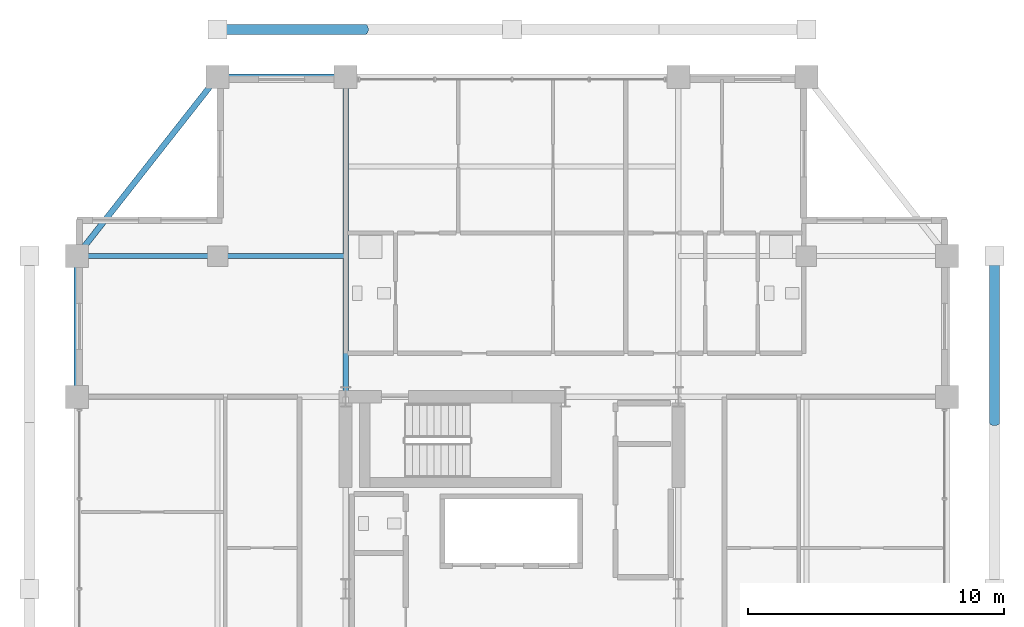
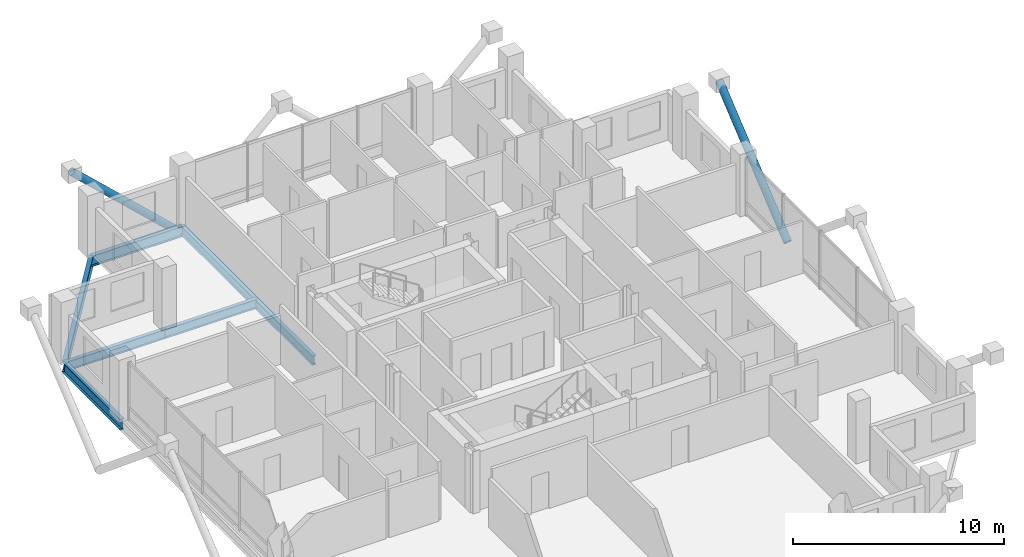
# One storey, part 13 of 23: 6 beams, 2 members.
"""IFC4 building model written with IfcOpenShell, lengths in metres."""

from ifc_helpers import new_model, si_unit, direction, frame, origin, origin_2d, place, context, subcontext, project, spatial, hollow_circle, i_section, extrude, material, material_profile, profile_set, type_object, element, save


model = new_model("IFC4")

# Units and contexts
model_context = context("Model", 3, precision=1e-05, world=origin(), true_north=direction((0.0, 1.0)))
body_context = subcontext(model_context, "Body", "Model", "MODEL_VIEW")
ifc_project = project(units=[si_unit("LENGTHUNIT", "METRE"), si_unit("AREAUNIT", "SQUARE_METRE"), si_unit("VOLUMEUNIT", "CUBIC_METRE"), si_unit("PLANEANGLEUNIT", "RADIAN"), si_unit("MASSUNIT", "GRAM", prefix="KILO")], contexts=[model_context])

# Site, building, storey
site_placement = place(None, origin())
site = spatial("IfcSite", under=ifc_project, at=site_placement, CompositionType="ELEMENT")
building_placement = place(site_placement, origin())
building = spatial("IfcBuilding", under=site, at=building_placement, Name="Barlavira Tower and Art Museum", CompositionType="ELEMENT")
storey_placement = place(building_placement, frame((0.0, 0.0, 247.5)))
storey = spatial("IfcBuildingStorey", under=building, at=storey_placement, Name="L64", CompositionType="ELEMENT", Elevation=247.5)

# Members
ifc_material = material(Name="Steel S355", Category="steel")
ifc_material_profile_1 = material_profile(ifc_material, hollow_circle(Radius=0.203125, WallThickness=0.01611328125, at=origin_2d()), Name="CHS 406.4x16.0")
ifc_profile_set_1 = profile_set([ifc_material_profile_1], Name="Steel S355")
member_type = type_object("IfcMemberType", Name="Pale-Metal Exoskeleton Diagrid Tube CHS 406x16 Steel S355", PredefinedType="BRACE", material=ifc_profile_set_1)
member_1_placement = place(storey_placement, frame((-5.75, 21.85009765625, -1.919921875), z_axis=(-0.728950095515, 0.0, 0.684566839869), x_axis=(0.0, -1.0, 0.0)))
element("IfcMember", 1, at=member_1_placement, inside=storey, type_object=member_type, Name="L64 Exoskeleton Diagrid Tube N", PredefinedType="BRACE", context=body_context, shape_type="SweptSolid", body=[
    extrude(hollow_circle(Radius=0.203125, WallThickness=0.01611328125, at=origin_2d()), origin(), (0.0, 0.0, 1.0), 7.887939453125),
])
member_2_placement = place(storey_placement, frame((18.85009765625, 6.5, -1.919921875), z_axis=(0.0, 0.769196053329, 0.639012857104), x_axis=(-1.0, 0.0, 0.0)))
element("IfcMember", 2, at=member_2_placement, inside=storey, type_object=member_type, Name="L64 Exoskeleton Diagrid Tube E", PredefinedType="BRACE", context=body_context, shape_type="SweptSolid", body=[
    extrude(hollow_circle(Radius=0.203125, WallThickness=0.01611328125, at=origin_2d()), origin(), (0.0, 0.0, 1.0), 8.450439453125),
])

# Beams
ifc_material_profile_2 = material_profile(ifc_material, i_section(OverallWidth=0.22998046875, OverallDepth=0.616943359375, WebThickness=0.01318359375, FlangeThickness=0.022216796875, at=origin_2d()), Name="W610x140.0")
ifc_profile_set_2 = profile_set([ifc_material_profile_2], Name="Steel S355")
beam_type_1 = type_object("IfcBeamType", Name="Upper Shaft Spandrel Edge Beam W610x140 Steel S355", PredefinedType="SPANDREL", material=ifc_profile_set_2)
beam_1_placement = place(storey_placement, frame((-11.5, 20.0, -0.528564453125), z_axis=(1.0, 0.0, 0.0), x_axis=(0.0, 1.0, 0.0)))
element("IfcBeam", 3, at=beam_1_placement, inside=storey, type_object=beam_type_1, Name="L64 Spandrel 11", PredefinedType="SPANDREL", context=body_context, shape_type="SweptSolid", body=[
    extrude(i_section(OverallWidth=0.22998046875, OverallDepth=0.616943359375, WebThickness=0.01318359375, FlangeThickness=0.022216796875, at=origin_2d()), origin(), (0.0, 0.0, 1.0), 5.0),
])
beam_2_placement = place(storey_placement, frame((-11.5, 20.0, -0.528564453125), z_axis=(-0.617821551932, -0.786318338822, 0.0), x_axis=(0.786318338822, -0.617821551932, 0.0)))
element("IfcBeam", 4, at=beam_2_placement, inside=storey, type_object=beam_type_1, Name="L64 Spandrel 12", PredefinedType="SPANDREL", context=body_context, shape_type="SweptSolid", body=[
    extrude(i_section(OverallWidth=0.22998046875, OverallDepth=0.616943359375, WebThickness=0.01318359375, FlangeThickness=0.022216796875, at=origin_2d()), origin(), (0.0, 0.0, 1.0), 8.90234375),
])
beam_3_placement = place(storey_placement, frame((-17.0, 7.5, -0.528564453125), z_axis=(0.0, 1.0, 0.0), x_axis=(-1.0, 0.0, 0.0)))
element("IfcBeam", 5, at=beam_3_placement, inside=storey, type_object=beam_type_1, Name="L64 Spandrel 13", PredefinedType="SPANDREL", context=body_context, shape_type="SweptSolid", body=[
    extrude(i_section(OverallWidth=0.22998046875, OverallDepth=0.616943359375, WebThickness=0.01318359375, FlangeThickness=0.022216796875, at=origin_2d()), origin(), (0.0, 0.0, 1.0), 5.5),
])
ifc_material_profile_3 = material_profile(ifc_material, i_section(OverallWidth=0.2109375, OverallDepth=0.5390625, WebThickness=0.01171875, FlangeThickness=0.018798828125, at=origin_2d()), Name="W530x109.0")
ifc_profile_set_3 = profile_set([ifc_material_profile_3], Name="Steel S355")
beam_type_2 = type_object("IfcBeamType", Name="Zone 3-4 Primary Floor Girder W530x109 Steel S355", PredefinedType="BEAM", material=ifc_profile_set_3)
beam_4_placement = place(storey_placement, frame((-6.5, 7.5, -0.489501953125), z_axis=(0.0, 1.0, 0.0), x_axis=(-1.0, 0.0, 0.0)))
element("IfcBeam", 6, at=beam_4_placement, inside=storey, type_object=beam_type_2, Name="L64 Girder R-N1", PredefinedType="BEAM", context=body_context, shape_type="SweptSolid", body=[
    extrude(i_section(OverallWidth=0.2109375, OverallDepth=0.5390625, WebThickness=0.01171875, FlangeThickness=0.018798828125, at=origin_2d()), origin(), (0.0, 0.0, 1.0), 12.5),
])
beam_5_placement = place(storey_placement, frame((-17.0, 13.0, -0.489501953125), z_axis=(1.0, 0.0, 0.0), x_axis=(0.0, 1.0, 0.0)))
element("IfcBeam", 7, at=beam_5_placement, inside=storey, type_object=beam_type_2, Name="L64 Girder I-N1", PredefinedType="BEAM", context=body_context, shape_type="SweptSolid", body=[
    extrude(i_section(OverallWidth=0.2109375, OverallDepth=0.5390625, WebThickness=0.01171875, FlangeThickness=0.018798828125, at=origin_2d()), origin(), (0.0, 0.0, 1.0), 5.5),
])
beam_6_placement = place(storey_placement, frame((-11.5, 13.0, -0.489501953125), z_axis=(1.0, 0.0, 0.0), x_axis=(0.0, 1.0, 0.0)))
element("IfcBeam", 8, at=beam_6_placement, inside=storey, type_object=beam_type_2, Name="L64 Girder I-N2", PredefinedType="BEAM", context=body_context, shape_type="SweptSolid", body=[
    extrude(i_section(OverallWidth=0.2109375, OverallDepth=0.5390625, WebThickness=0.01171875, FlangeThickness=0.018798828125, at=origin_2d()), origin(), (0.0, 0.0, 1.0), 5.0),
])

save(model, "model.ifc")
